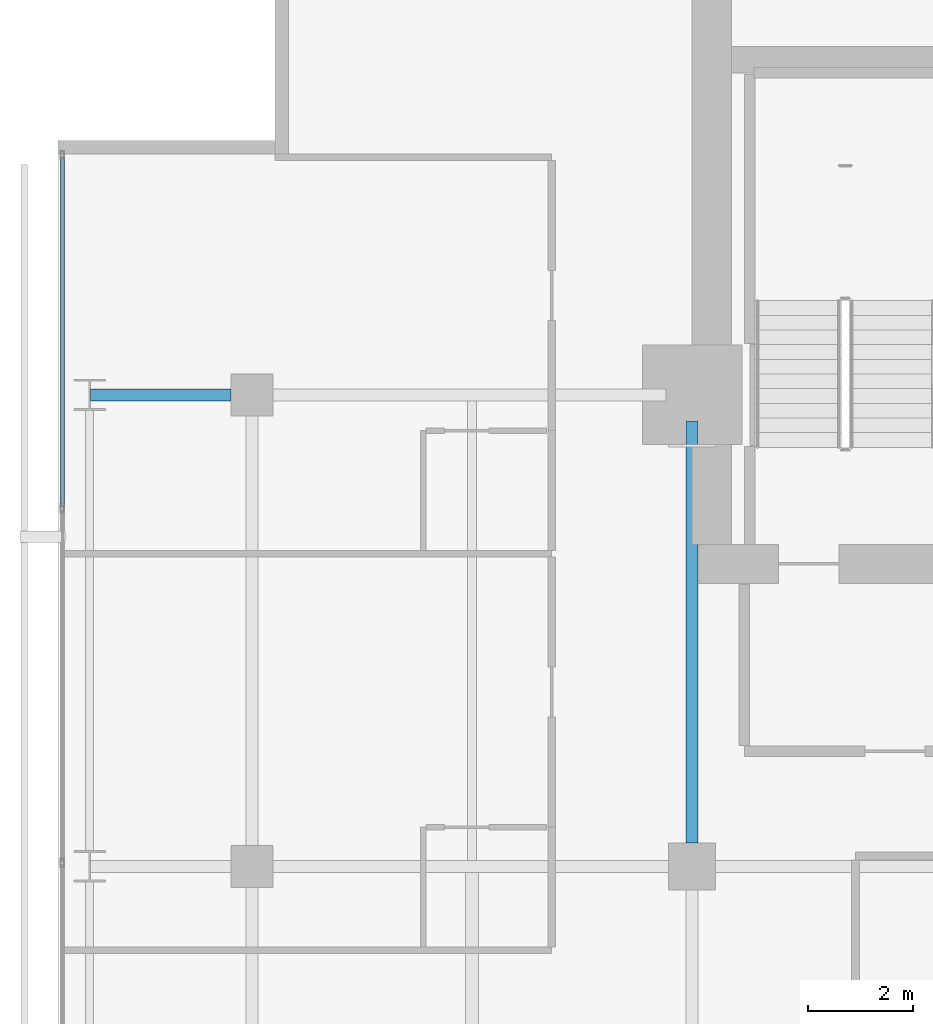
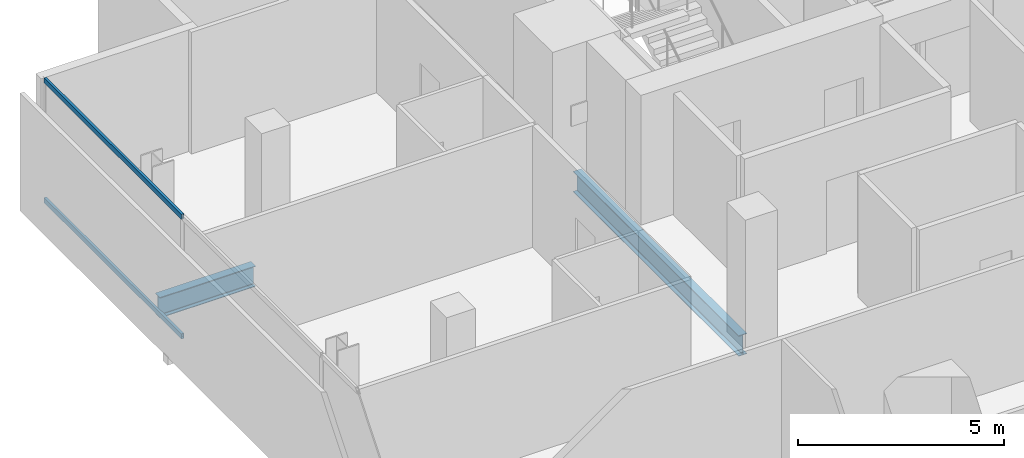
# One storey, part 19 of 34: 2 beams, 2 members, 1 element without a shape of its own.
"""IFC4 building model written with IfcOpenShell, lengths in metres."""

from ifc_helpers import new_model, si_unit, direction, frame, origin, origin_2d, place, context, subcontext, project, spatial, hollow_rectangle, i_section, extrude, material, layer, layer_set, material_profile, profile_set, type_object, element, aggregate, save


model = new_model("IFC4")

# Units and contexts
model_context = context("Model", 3, precision=1e-05, world=origin(), true_north=direction((0.0, 1.0)))
body_context = subcontext(model_context, "Body", "Model", "MODEL_VIEW")
ifc_project = project(units=[si_unit("LENGTHUNIT", "METRE"), si_unit("AREAUNIT", "SQUARE_METRE"), si_unit("VOLUMEUNIT", "CUBIC_METRE"), si_unit("PLANEANGLEUNIT", "RADIAN"), si_unit("MASSUNIT", "GRAM", prefix="KILO")], contexts=[model_context])

# Site, building, storey
site_placement = place(None, origin())
site = spatial("IfcSite", under=ifc_project, at=site_placement, CompositionType="ELEMENT")
building_placement = place(site_placement, origin())
building = spatial("IfcBuilding", under=site, at=building_placement, Name="Maruvema Waterfront Hotel and Observation Tower", CompositionType="ELEMENT")
storey_placement = place(building_placement, frame((0.0, 0.0, 127.39990234375)))
storey = spatial("IfcBuildingStorey", under=building, at=storey_placement, Name="L30", CompositionType="ELEMENT", Elevation=127.39990234375)

# Curtain wall, members
ifc_material_1 = material(Name="Anodised bronze aluminium and solar-control low-E IGU", Category="aluminium")
ifc_layer = layer(ifc_material_1, 0.159912109375, Name="Zone 2 Amber Inner Thermal Curtain Wall System CW-03")
ifc_layer_set = layer_set([ifc_layer], Name="Anodised bronze aluminium and solar-control low-E IGU")
curtain_wall_type = type_object("IfcCurtainWallType", Name="Zone 2 Amber Inner Thermal Curtain Wall System CW-03", PredefinedType="USERDEFINED", material=ifc_layer_set)
curtain_wall_placement = place(storey_placement, origin())
curtain_wall = element("IfcCurtainWall", 1, at=curtain_wall_placement, inside=storey, type_object=curtain_wall_type, Name="L30 Curtain Wall CW-L30-W", ObjectType="UNITISED CURTAIN WALL", PredefinedType="USERDEFINED")
ifc_material_2 = material(Name="Anodised architectural bronze aluminium", Category="aluminium")
ifc_material_profile_1 = material_profile(ifc_material_2, hollow_rectangle(XDim=0.070068359375, YDim=0.14990234375, WallThickness=0.00390625, at=origin_2d()), Name="ALU-T70x150")
ifc_profile_set_1 = profile_set([ifc_material_profile_1], Name="Anodised architectural bronze aluminium")
member_type = type_object("IfcMemberType", Name="Curtain Wall Horizontal Transom ALU-T70x150", PredefinedType="USERDEFINED", material=ifc_profile_set_1)
member_1_placement = place(storey_placement, frame((13.179931640625, 49.5400390625, 0.030029296875), z_axis=(0.0, -1.0, 0.0), x_axis=(1.0, 0.0, 0.0)))
member_1 = element("IfcMember", 2, at=member_1_placement, type_object=member_type, Name="CW-03 transom 1.1", ObjectType="TRANSOM", PredefinedType="USERDEFINED", context=body_context, shape_type="SweptSolid", body=[
    extrude(hollow_rectangle(XDim=0.070068359375, YDim=0.14990234375, WallThickness=0.00390625, at=origin_2d()), origin(), (0.0, 0.0, 1.0), 6.6767578125),
])
member_2_placement = place(storey_placement, frame((13.179931640625, 49.5400390625, 3.580078125), z_axis=(0.0, -1.0, 0.0), x_axis=(1.0, 0.0, 0.0)))
member_2 = element("IfcMember", 3, at=member_2_placement, type_object=member_type, Name="CW-03 transom 1.2", ObjectType="TRANSOM", PredefinedType="USERDEFINED", context=body_context, shape_type="SweptSolid", body=[
    extrude(hollow_rectangle(XDim=0.070068359375, YDim=0.14990234375, WallThickness=0.00390625, at=origin_2d()), origin(), (0.0, 0.0, 1.0), 6.6767578125),
])
aggregate(curtain_wall, [member_1, member_2])

# Beams
ifc_material_3 = material(Name="Steel ASTM A572 Grade 50", Category="steel")
ifc_material_profile_2 = material_profile(ifc_material_3, i_section(OverallWidth=0.22900390625, OverallDepth=0.612060546875, WebThickness=0.011962890625, FlangeThickness=0.01953125, FilletRadius=0.01806640625, at=origin_2d()), Name="W610x125.0")
ifc_profile_set_2 = profile_set([ifc_material_profile_2], Name="Steel ASTM A572 Grade 50")
beam_type = type_object("IfcBeamType", Name="Primary Floor Girder W610x125.0", PredefinedType="BEAM", material=ifc_profile_set_2)
beam_1_placement = place(storey_placement, frame((13.71240234375, 45.0, -0.5458984375), z_axis=(1.0, 0.0, 0.0), x_axis=(0.0, 1.0, 0.0)))
element("IfcBeam", 4, at=beam_1_placement, inside=storey, type_object=beam_type, Name="L30 Floor Girder EW-30", PredefinedType="BEAM", context=body_context, shape_type="SweptSolid", body=[
    extrude(i_section(OverallWidth=0.22900390625, OverallDepth=0.612060546875, WebThickness=0.011962890625, FlangeThickness=0.01953125, FilletRadius=0.01806640625, at=origin_2d()), origin(), (0.0, 0.0, 1.0), 2.6875),
])
beam_2_placement = place(storey_placement, frame((25.199951171875, 36.449951171875, -0.5458984375), z_axis=(0.0, 1.0, 0.0), x_axis=(-1.0, 0.0, 0.0)))
element("IfcBeam", 5, at=beam_2_placement, inside=storey, type_object=beam_type, Name="L30 Floor Girder NS-13", PredefinedType="BEAM", context=body_context, shape_type="SweptSolid", body=[
    extrude(i_section(OverallWidth=0.22900390625, OverallDepth=0.612060546875, WebThickness=0.011962890625, FlangeThickness=0.01953125, FilletRadius=0.01806640625, at=origin_2d()), origin(), (0.0, 0.0, 1.0), 8.050048828125),
])

save(model, "model.ifc")
